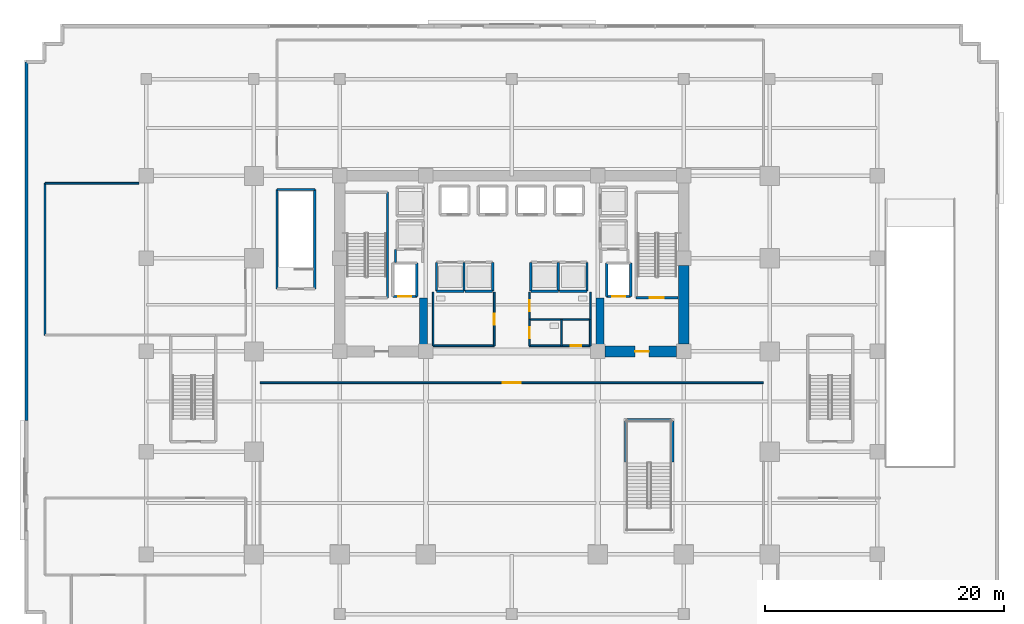
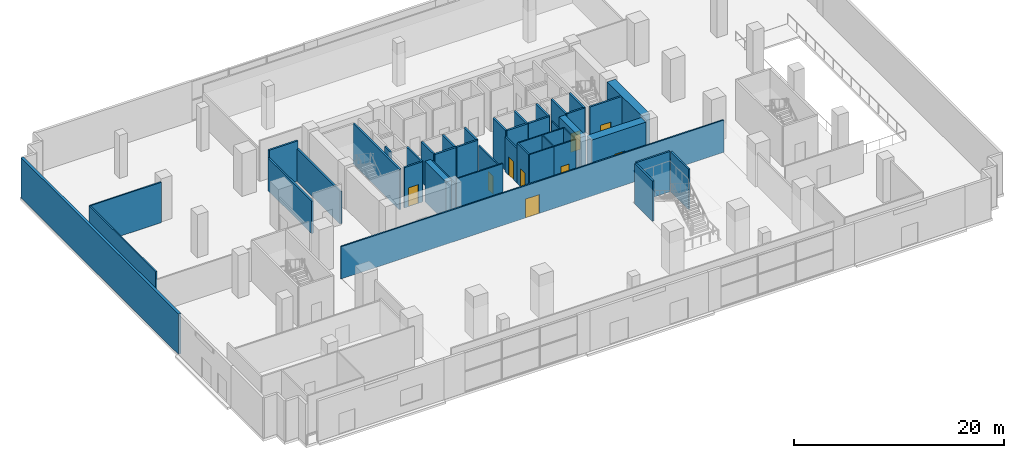
# One storey, part 14 of 27: 43 walls, 9 doors, 9 openings.
"""IFC4 building model written with IfcOpenShell, lengths in metres."""

import ifcopenshell
import ifcopenshell.guid

model = None  # the IFC model being written
_history = None  # IfcOwnerHistory: only IFC2X3 demands one
_inside = {}  # id of a spatial element -> (the spatial element, [elements in it])
_under = {}  # id of a project, library or spatial element -> (it, [spatial elements below it])
_declared = {}  # id of a project -> (the project, [libraries it declares])
_typed = {}  # id of a type object -> (the type object, [elements of that type])
_made_of = {}  # id of a material, layer set ... -> (it, [elements and type objects made of it])


def new_model(schema):
    """Start an empty IFC model of exactly this schema.

    Asked for "IFC4X3", IfcOpenShell would pick the latest addendum, in which some entities
    have other attributes; the version numbers below select the first issue.
    IFC2X3 requires an IfcOwnerHistory on every rooted entity: one is made here for all.
    """
    global model, _history
    if schema == "IFC4X3":
        model = ifcopenshell.file(schema_version=(4, 3, 0, 0))
    else:
        model = ifcopenshell.file(schema=schema)
    _inside.clear()
    _under.clear()
    _declared.clear()
    _typed.clear()
    _made_of.clear()
    _history = None
    if model.schema == "IFC2X3":
        org = make("IfcOrganization", Name="unknown")
        user = make(
            "IfcPersonAndOrganization",
            ThePerson=make("IfcPerson", FamilyName="unknown"),
            TheOrganization=org,
        )
        app = make(
            "IfcApplication",
            ApplicationDeveloper=org,
            Version="unknown",
            ApplicationFullName="unknown",
            ApplicationIdentifier="unknown",
        )
        _history = make(
            "IfcOwnerHistory",
            OwningUser=user,
            OwningApplication=app,
            ChangeAction="ADDED",
            CreationDate=0,
        )
    return model


def make(cls, **values):
    """One entity of the class cls with the attributes given. An attribute that is None is left unset."""
    return model.create_entity(
        cls, **{name: value for name, value in values.items() if value is not None}
    )


def rooted(cls, **values):
    """An entity with a GlobalId (a new one), such as an element, a storey or a relation."""
    return make(cls, GlobalId=ifcopenshell.guid.new(), OwnerHistory=_history, **values)


def si_unit(unit_type, name, prefix=None):
    """IfcSIUnit, for example si_unit("LENGTHUNIT", "METRE", prefix="MILLI")."""
    return make("IfcSIUnit", UnitType=unit_type, Prefix=prefix, Name=name)


def assignment(units):
    """IfcUnitAssignment: the units of a project."""
    return None if units is None else make("IfcUnitAssignment", Units=units)


def point(xyz):
    """IfcCartesianPoint."""
    return None if xyz is None else make("IfcCartesianPoint", Coordinates=xyz)


def direction(xyz):
    """IfcDirection."""
    return None if xyz is None else make("IfcDirection", DirectionRatios=xyz)


def frame(location, z_axis=None, x_axis=None):
    """IfcAxis2Placement3D, a coordinate frame: its origin and axes. An axis left out is left unset."""
    return make(
        "IfcAxis2Placement3D",
        Location=point(location),
        Axis=direction(z_axis),
        RefDirection=direction(x_axis),
    )


def frame_2d(location, x_axis=None):
    """IfcAxis2Placement2D, a coordinate frame in the plane: its origin and x axis."""
    return make(
        "IfcAxis2Placement2D", Location=point(location), RefDirection=direction(x_axis)
    )


def origin():
    """The frame at (0, 0, 0) with its axes left unset."""
    return frame((0.0, 0.0, 0.0))


def place(relative_to, where):
    """IfcLocalPlacement: puts the frame where relative to a parent placement (None: the world)."""
    return make(
        "IfcLocalPlacement", PlacementRelTo=relative_to, RelativePlacement=where
    )


def context(
    kind, dimensions, precision=None, world=None, true_north=None, identifier=None
):
    """IfcGeometricRepresentationContext, for example the 3D "Model" context."""
    return make(
        "IfcGeometricRepresentationContext",
        ContextIdentifier=identifier,
        ContextType=kind,
        CoordinateSpaceDimension=dimensions,
        Precision=precision,
        WorldCoordinateSystem=world,
        TrueNorth=true_north,
    )


def subcontext(parent, identifier, kind, view, scale=None):
    """IfcGeometricRepresentationSubContext, for example "Body" below "Model"."""
    return make(
        "IfcGeometricRepresentationSubContext",
        ContextIdentifier=identifier,
        ContextType=kind,
        ParentContext=parent,
        TargetScale=scale,
        TargetView=view,
    )


def project(units=None, contexts=None):
    """IfcProject with its units and contexts."""
    return rooted(
        "IfcProject",
        Name="project",
        RepresentationContexts=contexts,
        UnitsInContext=assignment(units),
    )


def spatial(cls, under=None, at=None, **own):
    """A site, building, storey or space (cls), placed at a placement, below another one or the project."""
    s = rooted(cls, ObjectPlacement=at, **own)
    if under is not None:
        _under.setdefault(under.id(), (under, []))[1].append(s)
    return s


def profile(cls, at=None, kind="AREA", **sizes):
    """A parametric profile (cls). Its sizes go by their IFC names, for example OverallWidth=200.0."""
    return make(cls, ProfileType=kind, Position=at, **sizes)


def rectangle(**sizes):
    """IfcRectangleProfileDef."""
    return profile("IfcRectangleProfileDef", **sizes)


def extrude(swept, where, along, depth):
    """IfcExtrudedAreaSolid: the profile swept, set in the frame where, extruded along a direction by depth."""
    return make(
        "IfcExtrudedAreaSolid",
        SweptArea=swept,
        Position=where,
        ExtrudedDirection=direction(along),
        Depth=depth,
    )


def shape(context_of_items, identifier, shape_type, items):
    """IfcShapeRepresentation: the items that make up one representation, for example the "Body"."""
    return make(
        "IfcShapeRepresentation",
        ContextOfItems=context_of_items,
        RepresentationIdentifier=identifier,
        RepresentationType=shape_type,
        Items=items,
    )


def source(mapping_origin, context_of_items, identifier, shape_type, items):
    """IfcRepresentationMap: a shape defined once, which mapped items show again and again."""
    return make(
        "IfcRepresentationMap",
        MappingOrigin=mapping_origin,
        MappedRepresentation=shape(context_of_items, identifier, shape_type, items),
    )


def transform(
    local_origin,
    x_axis=None,
    y_axis=None,
    z_axis=None,
    scale=None,
    scale2=None,
    scale3=None,
    uniform=True,
):
    """IfcCartesianTransformationOperator3D, or its non-uniform kind. x_axis, y_axis, z_axis: its Axis1, 2, 3."""
    if uniform:
        return make(
            "IfcCartesianTransformationOperator3D",
            Axis1=direction(x_axis),
            Axis2=direction(y_axis),
            LocalOrigin=point(local_origin),
            Scale=scale,
            Axis3=direction(z_axis),
        )
    return make(
        "IfcCartesianTransformationOperator3DnonUniform",
        Axis1=direction(x_axis),
        Axis2=direction(y_axis),
        LocalOrigin=point(local_origin),
        Scale=scale,
        Axis3=direction(z_axis),
        Scale2=scale2,
        Scale3=scale3,
    )


def mapped(mapping_source, mapping_target):
    """IfcMappedItem: shows the shape of a source again, moved by a transform."""
    return make(
        "IfcMappedItem", MappingSource=mapping_source, MappingTarget=mapping_target
    )


def material(Name=None, Category=None):
    """IfcMaterial."""
    return make("IfcMaterial", Name=Name, Category=Category)


def layer(
    of_material, thickness, ventilated=None, Name=None, Category=None, Priority=None
):
    """IfcMaterialLayer: one layer of a wall or slab, of a material (None: an air gap)."""
    return make(
        "IfcMaterialLayer",
        Material=of_material,
        LayerThickness=thickness,
        IsVentilated=ventilated,
        Name=Name,
        Category=Category,
        Priority=Priority,
    )


def layer_set(layers, Name=None):
    """IfcMaterialLayerSet."""
    return make("IfcMaterialLayerSet", MaterialLayers=layers, LayerSetName=Name)


def made_of(thing, what):
    """Note that an element or type object is made of a material, layer set ...; save() writes the relation."""
    if what is not None:
        _made_of.setdefault(what.id(), (what, []))[1].append(thing)
    return thing


def type_object(cls, material=None, **own):
    """A type object (cls), such as IfcWallType, which elements share."""
    return made_of(rooted(cls, **own), material)


def element(
    cls,
    number,
    at=None,
    inside=None,
    cuts=None,
    type_object=None,
    material=None,
    context=None,
    identifier="Body",
    shape_type=None,
    held_by="IfcProductDefinitionShape",
    body=None,
    shapes=None,
    **own,
):
    """One element of the class cls, such as IfcWall. Its Tag is "e" and its number.

    at: its placement. inside: the storey or other place that contains it. cuts: it is an
    opening in that element (IfcRelVoidsElement). A single representation is given by context,
    identifier, shape_type and body (its items); several are given by shapes. held_by: the class
    of the entity that holds the representations. save() writes the other relations.
    """
    e = rooted(cls, Tag="e%d" % number, ObjectPlacement=at, **own)
    if body is not None:
        shapes = [shape(context, identifier, shape_type, body)]
    if shapes is not None:
        e.Representation = make(held_by, Representations=shapes)
    if inside is not None:
        _inside.setdefault(inside.id(), (inside, []))[1].append(e)
    if cuts is not None:
        rooted(
            "IfcRelVoidsElement", RelatingBuildingElement=cuts, RelatedOpeningElement=e
        )
    if type_object is not None:
        _typed.setdefault(type_object.id(), (type_object, []))[1].append(e)
    return made_of(e, material)


def fill(opening, filler):
    """IfcRelFillsElement: the door or window that sits in an opening."""
    return rooted(
        "IfcRelFillsElement",
        RelatingOpeningElement=opening,
        RelatedBuildingElement=filler,
    )


def aggregate(whole, parts):
    """IfcRelAggregates: a whole, such as a stair, and the parts it consists of."""
    return rooted("IfcRelAggregates", RelatingObject=whole, RelatedObjects=parts)


def save(model, path):
    """Write the relations noted so far, then the file.

    IfcRelAggregates (storeys below a building ...), IfcRelContainedInSpatialStructure (elements
    in a storey), IfcRelDefinesByType, IfcRelAssociatesMaterial and IfcRelDeclares: one each for
    every whole, place, type object, material and project.
    """
    for whole, parts in _under.values():
        aggregate(whole, parts)
    for where, things in _inside.values():
        rooted(
            "IfcRelContainedInSpatialStructure",
            RelatedElements=things,
            RelatingStructure=where,
        )
    for kind, things in _typed.values():
        rooted("IfcRelDefinesByType", RelatedObjects=things, RelatingType=kind)
    for what, things in _made_of.values():
        rooted("IfcRelAssociatesMaterial", RelatedObjects=things, RelatingMaterial=what)
    for by, libraries in _declared.values():
        rooted("IfcRelDeclares", RelatingContext=by, RelatedDefinitions=libraries)
    model.write(path)


model = new_model("IFC4")

# Units and contexts
model_context = context("Model", 3, precision=1e-05, world=origin(), true_north=direction((0.0, 1.0)))
body_context = subcontext(model_context, "Body", "Model", "MODEL_VIEW")
ifc_project = project(units=[si_unit("LENGTHUNIT", "METRE"), si_unit("AREAUNIT", "SQUARE_METRE"), si_unit("VOLUMEUNIT", "CUBIC_METRE"), si_unit("PLANEANGLEUNIT", "RADIAN"), si_unit("MASSUNIT", "GRAM", prefix="KILO")], contexts=[model_context])

# Site, building, storey
site_placement = place(None, origin())
site = spatial("IfcSite", under=ifc_project, at=site_placement, CompositionType="ELEMENT")
building_placement = place(site_placement, origin())
building = spatial("IfcBuilding", under=site, at=building_placement, Name="Zarnakvel Exchange Tower", CompositionType="ELEMENT")
storey_placement = place(building_placement, origin())
storey = spatial("IfcBuildingStorey", under=building, at=storey_placement, Name="L00", CompositionType="ELEMENT", Elevation=0.0)

# Wall
ifc_material_1 = material(Name="Concrete C80/95", Category="concrete")
ifc_layer_1 = layer(ifc_material_1, 0.89990234375)
ifc_layer_set_1 = layer_set([ifc_layer_1], Name="Concrete C80/95")
wall_type_1 = type_object("IfcWallType", Name="CW-C1", PredefinedType="SHEAR", material=ifc_layer_set_1)
wall_1_placement = place(storey_placement, frame((14.39990234375, -0.60009765625, 0.0), z_axis=(0.0, 0.0, 1.0), x_axis=(0.0, 1.0, 0.0)))
element("IfcWall", 1, at=wall_1_placement, inside=storey, type_object=wall_type_1, Name="L00 Rear Core Shear Wall E1 (CW-C1)", PredefinedType="SHEAR", context=body_context, shape_type="SweptSolid", body=[
    extrude(rectangle(XDim=6.60009765625, YDim=0.89990234375, at=frame_2d((3.300048828125, 0.0))), origin(), (0.0, 0.0, 1.0), 4.699951171875),
])

# Wall, opening, door
wall_2_placement = place(storey_placement, frame((13.800048828125, -1.199951171875, 0.0), z_axis=(0.0, 0.0, 1.0), x_axis=(-1.0, 0.0, 0.0)))
wall_2 = element("IfcWall", 2, at=wall_2_placement, inside=storey, type_object=wall_type_1, Name="L00 Rear Core Shear Wall SE (CW-C1)", PredefinedType="SHEAR", context=body_context, shape_type="SweptSolid", body=[
    extrude(rectangle(XDim=6.0, YDim=0.89990234375, at=frame_2d((3.0, 0.0))), origin(), (0.0, 0.0, 1.0), 4.699951171875),
])
opening_1_placement = place(wall_2_placement, frame((2.324951171875, 0.0, 0.0)))
opening_1 = element("IfcOpeningElement", 3, at=opening_1_placement, cuts=wall_2, Name="Opening D-L00-04", PredefinedType="OPENING", context=body_context, shape_type="SweptSolid", body=[
    extrude(rectangle(XDim=1.14990234375, YDim=2.14990234375, at=frame_2d((0.574951171875, 1.074951171875))), frame((0.0, 0.4599609375, 0.0), z_axis=(0.0, -1.0, 0.0), x_axis=(1.0, 0.0, 0.0)), (0.0, 0.0, 1.0), 0.919921875),
])
ifc_material_2 = material(Name="Painted Galvanised Steel S355", Category="steel")
door_type_1 = type_object("IfcDoorType", Name="DT-04", OperationType="NOTDEFINED", PredefinedType="DOOR", material=ifc_material_2)
shared_shape_1 = source(origin(), body_context, "Body", "SweptSolid", [
    extrude(rectangle(XDim=1.14990234375, YDim=2.14990234375, at=frame_2d((0.574951171875, 1.074951171875))), frame((0.0, 0.02490234375, 0.0), z_axis=(0.0, -1.0, 0.0), x_axis=(1.0, 0.0, 0.0)), (0.0, 0.0, 1.0), 0.050048828125),
])
door_1_placement = place(opening_1_placement, origin())
door_1 = element("IfcDoor", 4, at=door_1_placement, inside=storey, type_object=door_type_1, Name="L00 Firefighting Lobby East Door D-L00-04", OperationType="SINGLE_SWING_RIGHT", OverallHeight=2.14990234375, OverallWidth=1.14990234375, PredefinedType="DOOR", context=body_context, shape_type="MappedRepresentation", body=[
    mapped(shared_shape_1, transform((0.0, 0.0, 0.0), x_axis=(1.0, 0.0, 0.0), y_axis=(0.0, 1.0, 0.0), z_axis=(0.0, 0.0, 1.0), scale=1.0)),
])
fill(opening_1, door_1)

# Walls
ifc_layer_2 = layer(ifc_material_1, 0.64990234375)
ifc_layer_set_2 = layer_set([ifc_layer_2], Name="Concrete C80/95")
wall_type_2 = type_object("IfcWallType", Name="CW-C2", PredefinedType="SHEAR", material=ifc_layer_set_2)
for number, where, z_axis, x_axis, name in (
    (5, (-7.39990234375, -0.75, 0.0), (0.0, 0.0, 1.0), (0.0, 1.0, 0.0), "L00 Rear Core Shear Wall IW (CW-C2)"),
    (6, (7.39990234375, -0.75, 0.0), (0.0, 0.0, 1.0), (0.0, 1.0, 0.0), "L00 Rear Core Shear Wall IE (CW-C2)"),
):
    element("IfcWall", number, at=place(storey_placement, frame(where, z_axis=z_axis, x_axis=x_axis)), inside=storey, type_object=wall_type_2, Name=name, PredefinedType="SHEAR", context=body_context, shape_type="SweptSolid", body=[
        extrude(rectangle(XDim=4.0, YDim=0.64990234375, at=frame_2d((2.0, 0.0))), origin(), (0.0, 0.0, 1.0), 4.699951171875),
    ])
ifc_material_3 = material(Name="Precast concrete C40/50", Category="concrete")
ifc_layer_3 = layer(ifc_material_3, 0.280029296875)
ifc_layer_set_3 = layer_set([ifc_layer_3], Name="Precast concrete C40/50")
wall_type_3 = type_object("IfcWallType", Name="EW-01", PredefinedType="SOLIDWALL", material=ifc_layer_set_3)
wall_3_placement = place(storey_placement, frame((-40.639892578125, 23.0400390625, 0.0), z_axis=(0.0, 0.0, 1.0), x_axis=(0.0, -1.0, 0.0)))
element("IfcWall", 7, at=wall_3_placement, inside=storey, type_object=wall_type_3, Name="L00 Exterior Precast Spandrel Wall EWC-L00-02 (EW-01)", PredefinedType="SOLIDWALL", context=body_context, shape_type="SweptSolid", body=[
    extrude(rectangle(XDim=30.0400390625, YDim=0.280029296875, at=frame_2d((15.02001953125, 0.0))), origin(), (0.0, 0.0, 1.0), 4.699951171875),
])

# Wall, opening, door
ifc_material_4 = material(Name="Fire-Rated Gypsum Stud Partition", Category="gypsum")
ifc_layer_4 = layer(ifc_material_4, 0.14990234375)
ifc_layer_set_4 = layer_set([ifc_layer_4], Name="Fire-Rated Gypsum Stud Partition")
wall_type_4 = type_object("IfcWallType", Name="PT-01", PredefinedType="PARTITIONING", material=ifc_layer_set_4)
wall_4_placement = place(storey_placement, frame((6.580078125, -0.72998046875, 0.0), z_axis=(0.0, 0.0, 1.0), x_axis=(-1.0, 0.0, 0.0)))
wall_4 = element("IfcWall", 8, at=wall_4_placement, inside=storey, type_object=wall_type_4, Name="L00 Partition Wall PWALL-L00-020 (PT-01)", PredefinedType="PARTITIONING", context=body_context, shape_type="SweptSolid", body=[
    extrude(rectangle(XDim=2.400146484375, YDim=0.14990234375, at=frame_2d((1.2001953125, 0.0))), origin(), (0.0, 0.0, 1.0), 4.699951171875),
])
opening_2_placement = place(wall_4_placement, frame((0.760009765625, 0.0, 0.0)))
opening_2 = element("IfcOpeningElement", 9, at=opening_2_placement, cuts=wall_4, Name="Opening D-L00-08", PredefinedType="OPENING", context=body_context, shape_type="SweptSolid", body=[
    extrude(rectangle(XDim=0.8798828125, YDim=2.10009765625, at=frame_2d((0.43994140625, 1.050048828125))), frame((0.0, 0.0849609375, 0.0), z_axis=(0.0, -1.0, 0.0), x_axis=(1.0, 0.0, 0.0)), (0.0, 0.0, 1.0), 0.169921875),
])
door_type_2 = type_object("IfcDoorType", Name="DT-08", OperationType="NOTDEFINED", PredefinedType="DOOR", material=ifc_material_2)
shared_shape_2 = source(origin(), body_context, "Body", "SweptSolid", [
    extrude(rectangle(XDim=0.8798828125, YDim=2.10009765625, at=frame_2d((0.43994140625, 1.050048828125))), frame((0.0, 0.02490234375, 0.0), z_axis=(0.0, -1.0, 0.0), x_axis=(1.0, 0.0, 0.0)), (0.0, 0.0, 1.0), 0.050048828125),
])
door_2_placement = place(opening_2_placement, origin())
door_2 = element("IfcDoor", 10, at=door_2_placement, inside=storey, type_object=door_type_2, Name="L00 Cleaners Store Door D-L00-08", OperationType="SINGLE_SWING_RIGHT", OverallHeight=2.10009765625, OverallWidth=0.8798828125, PredefinedType="DOOR", context=body_context, shape_type="MappedRepresentation", body=[
    mapped(shared_shape_2, transform((0.0, 0.0, 0.0), x_axis=(1.0, 0.0, 0.0), y_axis=(0.0, 1.0, 0.0), z_axis=(0.0, 0.0, 1.0), scale=1.0)),
])
fill(opening_2, door_2)

# Wall
wall_5_placement = place(storey_placement, frame((6.580078125, 1.47998046875, 0.0), z_axis=(0.0, 0.0, 1.0), x_axis=(0.0, -1.0, 0.0)))
element("IfcWall", 11, at=wall_5_placement, inside=storey, type_object=wall_type_4, Name="L00 Partition Wall PWALL-L00-021 (PT-01)", PredefinedType="PARTITIONING", context=body_context, shape_type="SweptSolid", body=[
    extrude(rectangle(XDim=2.2099609375, YDim=0.14990234375, at=frame_2d((1.10498046875, 0.0))), origin(), (0.0, 0.0, 1.0), 4.699951171875),
])

# Wall, opening, door
wall_6_placement = place(storey_placement, frame((-21.080078125, -3.830078125, 0.0), z_axis=(0.0, 0.0, 1.0), x_axis=(1.0, 0.0, 0.0)))
wall_6 = element("IfcWall", 12, at=wall_6_placement, inside=storey, type_object=wall_type_4, Name="L00 Partition Wall PWALL-L00-044 (PT-01)", PredefinedType="PARTITIONING", context=body_context, shape_type="SweptSolid", body=[
    extrude(rectangle(XDim=42.16015625, YDim=0.14990234375, at=frame_2d((21.080078125, 0.0))), origin(), (0.0, 0.0, 1.0), 3.76904296875),
])
opening_3_placement = place(wall_6_placement, frame((20.330078125, 0.0, 0.0)))
opening_3 = element("IfcOpeningElement", 13, at=opening_3_placement, cuts=wall_6, Name="Opening D-L00-14", PredefinedType="OPENING", context=body_context, shape_type="SweptSolid", body=[
    extrude(rectangle(XDim=1.5, YDim=2.199951171875, at=frame_2d((0.75, 1.10009765625))), frame((0.0, 0.0849609375, 0.0), z_axis=(0.0, -1.0, 0.0), x_axis=(1.0, 0.0, 0.0)), (0.0, 0.0, 1.0), 0.169921875),
])
ifc_material_5 = material(Name="Timber Acoustic Veneer", Category="wood")
door_type_3 = type_object("IfcDoorType", Name="DT-03", OperationType="NOTDEFINED", PredefinedType="DOOR", material=ifc_material_5)
shared_shape_3 = source(origin(), body_context, "Body", "SweptSolid", [
    extrude(rectangle(XDim=1.5, YDim=2.199951171875, at=frame_2d((0.75, 1.10009765625))), frame((0.0, 0.02490234375, 0.0), z_axis=(0.0, -1.0, 0.0), x_axis=(1.0, 0.0, 0.0)), (0.0, 0.0, 1.0), 0.050048828125),
])
door_3_placement = place(opening_3_placement, origin())
door_3 = element("IfcDoor", 14, at=door_3_placement, inside=storey, type_object=door_type_3, Name="L00 Grand Entrance Hall and Exchange Concourse Door D-L00-14", OperationType="DOUBLE_DOOR_SINGLE_SWING", OverallHeight=2.199951171875, OverallWidth=1.5, PredefinedType="DOOR", context=body_context, shape_type="MappedRepresentation", body=[
    mapped(shared_shape_3, transform((0.0, 0.0, 0.0), x_axis=(1.0, 0.0, 0.0), y_axis=(0.0, 1.0, 0.0), z_axis=(0.0, 0.0, 1.0), scale=1.0)),
])
fill(opening_3, door_3)

# Walls
wall_7_placement = place(storey_placement, frame((-39.080078125, 12.8798828125, 0.0), z_axis=(0.0, 0.0, 1.0), x_axis=(1.0, 0.0, 0.0)))
element("IfcWall", 15, at=wall_7_placement, inside=storey, type_object=wall_type_4, Name="L00 Partition Wall PWALL-L00-049 (PT-01)", PredefinedType="PARTITIONING", context=body_context, shape_type="SweptSolid", body=[
    extrude(rectangle(XDim=7.860107421875, YDim=0.14990234375, at=frame_2d((3.93017578125, 0.0))), origin(), (0.0, 0.0, 1.0), 4.699951171875),
])
wall_8_placement = place(storey_placement, frame((-39.080078125, 0.169921875, 0.0), z_axis=(0.0, 0.0, 1.0), x_axis=(0.0, 1.0, 0.0)))
element("IfcWall", 16, at=wall_8_placement, inside=storey, type_object=wall_type_4, Name="L00 Partition Wall PWALL-L00-050 (PT-01)", PredefinedType="PARTITIONING", context=body_context, shape_type="SweptSolid", body=[
    extrude(rectangle(XDim=12.7099609375, YDim=0.14990234375, at=frame_2d((6.35498046875, 0.0))), origin(), (0.0, 0.0, 1.0), 4.699951171875),
])
ifc_layer_5 = layer(ifc_material_4, 0.179931640625)
ifc_layer_set_5 = layer_set([ifc_layer_5], Name="Fire-Rated Gypsum Stud Partition")
wall_type_5 = type_object("IfcWallType", Name="PT-02", PredefinedType="PARTITIONING", material=ifc_layer_set_5)
wall_9_placement = place(storey_placement, frame((-9.72998046875, 6.239990234375, 0.0), z_axis=(0.0, 0.0, 1.0), x_axis=(0.0, 1.0, 0.0)))
element("IfcWall", 17, at=wall_9_placement, inside=storey, type_object=wall_type_5, Name="L00 Partition Wall PWALL-L00-007 (PT-02)", PredefinedType="PARTITIONING", context=body_context, shape_type="SweptSolid", body=[
    extrude(rectangle(XDim=1.090087890625, YDim=0.179931640625, at=frame_2d((0.544921875, 0.0))), origin(), (0.0, 0.0, 1.0), 4.699951171875),
])
ifc_material_6 = material(Name="Moisture-Resistant Tile-Faced Partition", Category="gypsum")
ifc_layer_6 = layer(ifc_material_6, 0.135009765625)
ifc_layer_set_6 = layer_set([ifc_layer_6], Name="Moisture-Resistant Tile-Faced Partition")
wall_type_6 = type_object("IfcWallType", Name="PT-03", PredefinedType="PARTITIONING", material=ifc_layer_set_6)
wall_10_placement = place(storey_placement, frame((-1.469970703125, -0.72998046875, 0.0), z_axis=(0.0, 0.0, 1.0), x_axis=(-1.0, 0.0, 0.0)))
element("IfcWall", 18, at=wall_10_placement, inside=storey, type_object=wall_type_6, Name="L00 Partition Wall PWALL-L00-011 (PT-03)", PredefinedType="PARTITIONING", context=body_context, shape_type="SweptSolid", body=[
    extrude(rectangle(XDim=5.110107421875, YDim=0.135009765625, at=frame_2d((2.55517578125, 0.0))), origin(), (0.0, 0.0, 1.0), 4.699951171875),
])
wall_11_placement = place(storey_placement, frame((-6.580078125, -0.72998046875, 0.0), z_axis=(0.0, 0.0, 1.0), x_axis=(0.0, 1.0, 0.0)))
element("IfcWall", 19, at=wall_11_placement, inside=storey, type_object=wall_type_6, Name="L00 Partition Wall PWALL-L00-012 (PT-03)", PredefinedType="PARTITIONING", context=body_context, shape_type="SweptSolid", body=[
    extrude(rectangle(XDim=4.489990234375, YDim=0.135009765625, at=frame_2d((2.2451171875, 0.0))), origin(), (0.0, 0.0, 1.0), 4.07275390625),
])

# Wall, opening, door
wall_12_placement = place(storey_placement, frame((-1.469970703125, 3.760009765625, 0.0), z_axis=(0.0, 0.0, 1.0), x_axis=(0.0, -1.0, 0.0)))
wall_12 = element("IfcWall", 20, at=wall_12_placement, inside=storey, type_object=wall_type_6, Name="L00 Partition Wall PWALL-L00-013 (PT-03)", PredefinedType="PARTITIONING", context=body_context, shape_type="SweptSolid", body=[
    extrude(rectangle(XDim=4.489990234375, YDim=0.135009765625, at=frame_2d((2.2451171875, 0.0))), origin(), (0.0, 0.0, 1.0), 4.07275390625),
])
opening_4_placement = place(wall_12_placement, frame((1.800048828125, 0.0, 0.0)))
opening_4 = element("IfcOpeningElement", 21, at=opening_4_placement, cuts=wall_12, Name="Opening D-L00-05", PredefinedType="OPENING", context=body_context, shape_type="SweptSolid", body=[
    extrude(rectangle(XDim=0.919921875, YDim=2.10009765625, at=frame_2d((0.4599609375, 1.050048828125))), frame((0.0, 0.077392578125, 0.0), z_axis=(0.0, -1.0, 0.0), x_axis=(1.0, 0.0, 0.0)), (0.0, 0.0, 1.0), 0.155029296875),
])
ifc_material_7 = material(Name="Moisture-Resistant Laminate Timber", Category="wood")
door_type_4 = type_object("IfcDoorType", Name="DT-07", OperationType="NOTDEFINED", PredefinedType="DOOR", material=ifc_material_7)
shared_shape_4 = source(origin(), body_context, "Body", "SweptSolid", [
    extrude(rectangle(XDim=0.919921875, YDim=2.10009765625, at=frame_2d((0.4599609375, 1.050048828125))), frame((0.0, 0.02490234375, 0.0), z_axis=(0.0, -1.0, 0.0), x_axis=(1.0, 0.0, 0.0)), (0.0, 0.0, 1.0), 0.050048828125),
])
door_4_placement = place(opening_4_placement, origin())
door_4 = element("IfcDoor", 22, at=door_4_placement, inside=storey, type_object=door_type_4, Name="L00 Male Toilet Door D-L00-05", OperationType="SINGLE_SWING_LEFT", OverallHeight=2.10009765625, OverallWidth=0.919921875, PredefinedType="DOOR", context=body_context, shape_type="MappedRepresentation", body=[
    mapped(shared_shape_4, transform((0.0, 0.0, 0.0), x_axis=(1.0, 0.0, 0.0), y_axis=(0.0, 1.0, 0.0), z_axis=(0.0, 0.0, 1.0), scale=1.0)),
])
fill(opening_4, door_4)

# Wall
wall_13_placement = place(storey_placement, frame((6.580078125, 1.47998046875, 0.0), z_axis=(0.0, 0.0, 1.0), x_axis=(-1.0, 0.0, 0.0)))
element("IfcWall", 23, at=wall_13_placement, inside=storey, type_object=wall_type_6, Name="L00 Partition Wall PWALL-L00-014 (PT-03)", PredefinedType="PARTITIONING", context=body_context, shape_type="SweptSolid", body=[
    extrude(rectangle(XDim=5.110107421875, YDim=0.135009765625, at=frame_2d((2.55517578125, 0.0))), origin(), (0.0, 0.0, 1.0), 4.699951171875),
])

# Wall, opening, door
wall_14_placement = place(storey_placement, frame((1.469970703125, 1.47998046875, 0.0), z_axis=(0.0, 0.0, 1.0), x_axis=(0.0, 1.0, 0.0)))
wall_14 = element("IfcWall", 24, at=wall_14_placement, inside=storey, type_object=wall_type_6, Name="L00 Partition Wall PWALL-L00-015 (PT-03)", PredefinedType="PARTITIONING", context=body_context, shape_type="SweptSolid", body=[
    extrude(rectangle(XDim=2.280029296875, YDim=0.135009765625, at=frame_2d((1.14013671875, 0.0))), origin(), (0.0, 0.0, 1.0), 4.07275390625),
])
opening_5_placement = place(wall_14_placement, frame((0.679931640625, 0.0, 0.0)))
opening_5 = element("IfcOpeningElement", 25, at=opening_5_placement, cuts=wall_14, Name="Opening D-L00-06", PredefinedType="OPENING", context=body_context, shape_type="SweptSolid", body=[
    extrude(rectangle(XDim=0.919921875, YDim=2.10009765625, at=frame_2d((0.4599609375, 1.050048828125))), frame((0.0, 0.077392578125, 0.0), z_axis=(0.0, -1.0, 0.0), x_axis=(1.0, 0.0, 0.0)), (0.0, 0.0, 1.0), 0.155029296875),
])
door_5_placement = place(opening_5_placement, origin())
door_5 = element("IfcDoor", 26, at=door_5_placement, inside=storey, type_object=door_type_4, Name="L00 Female Toilet Door D-L00-06", OperationType="SINGLE_SWING_RIGHT", OverallHeight=2.10009765625, OverallWidth=0.919921875, PredefinedType="DOOR", context=body_context, shape_type="MappedRepresentation", body=[
    mapped(shared_shape_4, transform((0.0, 0.0, 0.0), x_axis=(1.0, 0.0, 0.0), y_axis=(0.0, 1.0, 0.0), z_axis=(0.0, 0.0, 1.0), scale=1.0)),
])
fill(opening_5, door_5)

# Walls
wall_15_placement = place(storey_placement, frame((6.580078125, 3.760009765625, 0.0), z_axis=(0.0, 0.0, 1.0), x_axis=(0.0, -1.0, 0.0)))
element("IfcWall", 27, at=wall_15_placement, inside=storey, type_object=wall_type_6, Name="L00 Partition Wall PWALL-L00-016 (PT-03)", PredefinedType="PARTITIONING", context=body_context, shape_type="SweptSolid", body=[
    extrude(rectangle(XDim=2.280029296875, YDim=0.135009765625, at=frame_2d((1.14013671875, 0.0))), origin(), (0.0, 0.0, 1.0), 4.07275390625),
])
wall_16_placement = place(storey_placement, frame((4.179931640625, -0.72998046875, 0.0), z_axis=(0.0, 0.0, 1.0), x_axis=(-1.0, 0.0, 0.0)))
element("IfcWall", 28, at=wall_16_placement, inside=storey, type_object=wall_type_6, Name="L00 Partition Wall PWALL-L00-017 (PT-03)", PredefinedType="PARTITIONING", context=body_context, shape_type="SweptSolid", body=[
    extrude(rectangle(XDim=2.7099609375, YDim=0.135009765625, at=frame_2d((1.35498046875, 0.0))), origin(), (0.0, 0.0, 1.0), 4.699951171875),
])

# Wall, opening, door
wall_17_placement = place(storey_placement, frame((1.469970703125, -0.72998046875, 0.0), z_axis=(0.0, 0.0, 1.0), x_axis=(0.0, 1.0, 0.0)))
wall_17 = element("IfcWall", 29, at=wall_17_placement, inside=storey, type_object=wall_type_6, Name="L00 Partition Wall PWALL-L00-018 (PT-03)", PredefinedType="PARTITIONING", context=body_context, shape_type="SweptSolid", body=[
    extrude(rectangle(XDim=2.2099609375, YDim=0.135009765625, at=frame_2d((1.10498046875, 0.0))), origin(), (0.0, 0.0, 1.0), 4.699951171875),
])
opening_6_placement = place(wall_17_placement, frame((0.64990234375, 0.0, 0.0)))
opening_6 = element("IfcOpeningElement", 30, at=opening_6_placement, cuts=wall_17, Name="Opening D-L00-07", PredefinedType="OPENING", context=body_context, shape_type="SweptSolid", body=[
    extrude(rectangle(XDim=0.919921875, YDim=2.10009765625, at=frame_2d((0.4599609375, 1.050048828125))), frame((0.0, 0.077392578125, 0.0), z_axis=(0.0, -1.0, 0.0), x_axis=(1.0, 0.0, 0.0)), (0.0, 0.0, 1.0), 0.155029296875),
])
door_6_placement = place(opening_6_placement, origin())
door_6 = element("IfcDoor", 31, at=door_6_placement, inside=storey, type_object=door_type_4, Name="L00 Accessible Toilet Door D-L00-07", OperationType="SINGLE_SWING_LEFT", OverallHeight=2.10009765625, OverallWidth=0.919921875, PredefinedType="DOOR", context=body_context, shape_type="MappedRepresentation", body=[
    mapped(shared_shape_4, transform((0.0, 0.0, 0.0), x_axis=(1.0, 0.0, 0.0), y_axis=(0.0, 1.0, 0.0), z_axis=(0.0, 0.0, 1.0), scale=1.0)),
])
fill(opening_6, door_6)

# Wall
wall_18_placement = place(storey_placement, frame((4.179931640625, 1.47998046875, 0.0), z_axis=(0.0, 0.0, 1.0), x_axis=(0.0, -1.0, 0.0)))
element("IfcWall", 32, at=wall_18_placement, inside=storey, type_object=wall_type_6, Name="L00 Partition Wall PWALL-L00-019 (PT-03)", PredefinedType="PARTITIONING", context=body_context, shape_type="SweptSolid", body=[
    extrude(rectangle(XDim=2.2099609375, YDim=0.135009765625, at=frame_2d((1.10498046875, 0.0))), origin(), (0.0, 0.0, 1.0), 4.699951171875),
])

# Wall, opening, door
ifc_material_8 = material(Name="Concrete C40/50", Category="concrete")
ifc_layer_7 = layer(ifc_material_8, 0.199951171875)
ifc_layer_set_7 = layer_set([ifc_layer_7], Name="Concrete C40/50")
wall_type_7 = type_object("IfcWallType", Name="SW-01", PredefinedType="SOLIDWALL", material=ifc_layer_set_7)
wall_19_placement = place(storey_placement, frame((-7.949951171875, 3.39990234375, 0.0), z_axis=(0.0, 0.0, 1.0), x_axis=(-1.0, 0.0, 0.0)))
wall_19 = element("IfcWall", 33, at=wall_19_placement, inside=storey, type_object=wall_type_7, Name="L00 FL-01 Hoistway Wall South", PredefinedType="SOLIDWALL", context=body_context, shape_type="SweptSolid", body=[
    extrude(rectangle(XDim=2.0, YDim=0.199951171875, at=frame_2d((1.0, 0.0))), origin(), (0.0, 0.0, 1.0), 4.699951171875),
])
opening_7_placement = place(wall_19_placement, frame((0.449951171875, 0.0, 0.0)))
opening_7 = element("IfcOpeningElement", 34, at=opening_7_placement, cuts=wall_19, Name="Opening LD-FL-01-L00", PredefinedType="OPENING", context=body_context, shape_type="SweptSolid", body=[
    extrude(rectangle(XDim=1.10009765625, YDim=2.199951171875, at=frame_2d((0.550048828125, 1.10009765625))), frame((0.0, 0.10986328125, 0.0), z_axis=(0.0, -1.0, 0.0), x_axis=(1.0, 0.0, 0.0)), (0.0, 0.0, 1.0), 0.219970703125),
])
ifc_material_9 = material(Name="Brushed Stainless Steel", Category="steel")
door_type_5 = type_object("IfcDoorType", Name="LDT-01", OperationType="NOTDEFINED", PredefinedType="DOOR", material=ifc_material_9)
shared_shape_5 = source(origin(), body_context, "Body", "SweptSolid", [
    extrude(rectangle(XDim=1.10009765625, YDim=2.199951171875, at=frame_2d((0.550048828125, 1.10009765625))), frame((0.0, 0.02490234375, 0.0), z_axis=(0.0, -1.0, 0.0), x_axis=(1.0, 0.0, 0.0)), (0.0, 0.0, 1.0), 0.050048828125),
])
door_7_placement = place(opening_7_placement, origin())
door_7 = element("IfcDoor", 35, at=door_7_placement, inside=storey, type_object=door_type_5, Name="L00 FL-01 Lift Landing Door LD-FL-01-L00", OperationType="DOUBLE_DOOR_SLIDING", OverallHeight=2.199951171875, OverallWidth=1.10009765625, PredefinedType="DOOR", context=body_context, shape_type="MappedRepresentation", body=[
    mapped(shared_shape_5, transform((0.0, 0.0, 0.0), x_axis=(1.0, 0.0, 0.0), y_axis=(0.0, 1.0, 0.0), z_axis=(0.0, 0.0, 1.0), scale=1.0)),
])
fill(opening_7, door_7)

# Wall
wall_20_placement = place(storey_placement, frame((-7.949951171875, 6.199951171875, 0.0), z_axis=(0.0, 0.0, 1.0), x_axis=(0.0, -1.0, 0.0)))
element("IfcWall", 36, at=wall_20_placement, inside=storey, type_object=wall_type_7, Name="L00 FL-01 Hoistway Wall East", PredefinedType="SOLIDWALL", context=body_context, shape_type="SweptSolid", body=[
    extrude(rectangle(XDim=2.800048828125, YDim=0.199951171875, at=frame_2d((1.39990234375, 0.0))), origin(), (0.0, 0.0, 1.0), 4.699951171875),
])

# Wall, opening, door
wall_21_placement = place(storey_placement, frame((9.949951171875, 3.39990234375, 0.0), z_axis=(0.0, 0.0, 1.0), x_axis=(-1.0, 0.0, 0.0)))
wall_21 = element("IfcWall", 37, at=wall_21_placement, inside=storey, type_object=wall_type_7, Name="L00 FL-02 Hoistway Wall South", PredefinedType="SOLIDWALL", context=body_context, shape_type="SweptSolid", body=[
    extrude(rectangle(XDim=2.0, YDim=0.199951171875, at=frame_2d((1.0, 0.0))), origin(), (0.0, 0.0, 1.0), 4.699951171875),
])
opening_8_placement = place(wall_21_placement, frame((0.449951171875, 0.0, 0.0)))
opening_8 = element("IfcOpeningElement", 38, at=opening_8_placement, cuts=wall_21, Name="Opening LD-FL-02-L00", PredefinedType="OPENING", context=body_context, shape_type="SweptSolid", body=[
    extrude(rectangle(XDim=1.10009765625, YDim=2.199951171875, at=frame_2d((0.550048828125, 1.10009765625))), frame((0.0, 0.10986328125, 0.0), z_axis=(0.0, -1.0, 0.0), x_axis=(1.0, 0.0, 0.0)), (0.0, 0.0, 1.0), 0.219970703125),
])
door_8_placement = place(opening_8_placement, origin())
door_8 = element("IfcDoor", 39, at=door_8_placement, inside=storey, type_object=door_type_5, Name="L00 FL-02 Lift Landing Door LD-FL-02-L00", OperationType="DOUBLE_DOOR_SLIDING", OverallHeight=2.199951171875, OverallWidth=1.10009765625, PredefinedType="DOOR", context=body_context, shape_type="MappedRepresentation", body=[
    mapped(shared_shape_5, transform((0.0, 0.0, 0.0), x_axis=(1.0, 0.0, 0.0), y_axis=(0.0, 1.0, 0.0), z_axis=(0.0, 0.0, 1.0), scale=1.0)),
])
fill(opening_8, door_8)

# Walls
for number, where, z_axis, x_axis, name in (
    (40, (7.949951171875, 3.39990234375, 0.0), (0.0, 0.0, 1.0), (0.0, 1.0, 0.0), "L00 FL-02 Hoistway Wall West"),
    (41, (9.949951171875, 6.199951171875, 0.0), (0.0, 0.0, 1.0), (0.0, -1.0, 0.0), "L00 FL-02 Hoistway Wall East"),
):
    element("IfcWall", number, at=place(storey_placement, frame(where, z_axis=z_axis, x_axis=x_axis)), inside=storey, type_object=wall_type_7, Name=name, PredefinedType="SOLIDWALL", context=body_context, shape_type="SweptSolid", body=[
        extrude(rectangle(XDim=2.800048828125, YDim=0.199951171875, at=frame_2d((1.39990234375, 0.0))), origin(), (0.0, 0.0, 1.0), 4.699951171875),
    ])
wall_22_placement = place(storey_placement, frame((-4.0, 3.85009765625, 0.0), z_axis=(0.0, 0.0, 1.0), x_axis=(-1.0, 0.0, 0.0)))
element("IfcWall", 42, at=wall_22_placement, inside=storey, type_object=wall_type_7, Name="L00 PL-05 Hoistway Wall South", PredefinedType="SOLIDWALL", context=body_context, shape_type="SweptSolid", body=[
    extrude(rectangle(XDim=2.300048828125, YDim=0.199951171875, at=frame_2d((1.14990234375, 0.0))), origin(), (0.0, 0.0, 1.0), 4.699951171875),
])
for number, where, z_axis, x_axis, name in (
    (43, (-6.300048828125, 3.85009765625, 0.0), (0.0, 0.0, 1.0), (0.0, 1.0, 0.0), "L00 PL-05 Hoistway Wall West"),
    (44, (-4.0, 6.25, 0.0), (0.0, 0.0, 1.0), (0.0, -1.0, 0.0), "L00 PL-05 Hoistway Wall East"),
):
    element("IfcWall", number, at=place(storey_placement, frame(where, z_axis=z_axis, x_axis=x_axis)), inside=storey, type_object=wall_type_7, Name=name, PredefinedType="SOLIDWALL", context=body_context, shape_type="SweptSolid", body=[
        extrude(rectangle(XDim=2.39990234375, YDim=0.199951171875, at=frame_2d((1.199951171875, 0.0))), origin(), (0.0, 0.0, 1.0), 4.699951171875),
    ])
wall_23_placement = place(storey_placement, frame((-1.60009765625, 3.85009765625, 0.0), z_axis=(0.0, 0.0, 1.0), x_axis=(-1.0, 0.0, 0.0)))
element("IfcWall", 45, at=wall_23_placement, inside=storey, type_object=wall_type_7, Name="L00 PL-06 Hoistway Wall South", PredefinedType="SOLIDWALL", context=body_context, shape_type="SweptSolid", body=[
    extrude(rectangle(XDim=2.2998046875, YDim=0.199951171875, at=frame_2d((1.14990234375, 0.0))), origin(), (0.0, 0.0, 1.0), 4.699951171875),
])
wall_24_placement = place(storey_placement, frame((-1.60009765625, 6.25, 0.0), z_axis=(0.0, 0.0, 1.0), x_axis=(0.0, -1.0, 0.0)))
element("IfcWall", 46, at=wall_24_placement, inside=storey, type_object=wall_type_7, Name="L00 PL-06 Hoistway Wall East", PredefinedType="SOLIDWALL", context=body_context, shape_type="SweptSolid", body=[
    extrude(rectangle(XDim=2.39990234375, YDim=0.199951171875, at=frame_2d((1.199951171875, 0.0))), origin(), (0.0, 0.0, 1.0), 4.699951171875),
])
wall_25_placement = place(storey_placement, frame((3.89990234375, 3.85009765625, 0.0), z_axis=(0.0, 0.0, 1.0), x_axis=(-1.0, 0.0, 0.0)))
element("IfcWall", 47, at=wall_25_placement, inside=storey, type_object=wall_type_7, Name="L00 PL-07 Hoistway Wall South", PredefinedType="SOLIDWALL", context=body_context, shape_type="SweptSolid", body=[
    extrude(rectangle(XDim=2.2998046875, YDim=0.199951171875, at=frame_2d((1.14990234375, 0.0))), origin(), (0.0, 0.0, 1.0), 4.699951171875),
])
for number, where, z_axis, x_axis, name in (
    (48, (1.60009765625, 3.85009765625, 0.0), (0.0, 0.0, 1.0), (0.0, 1.0, 0.0), "L00 PL-07 Hoistway Wall West"),
    (49, (3.89990234375, 6.25, 0.0), (0.0, 0.0, 1.0), (0.0, -1.0, 0.0), "L00 PL-07 Hoistway Wall East"),
):
    element("IfcWall", number, at=place(storey_placement, frame(where, z_axis=z_axis, x_axis=x_axis)), inside=storey, type_object=wall_type_7, Name=name, PredefinedType="SOLIDWALL", context=body_context, shape_type="SweptSolid", body=[
        extrude(rectangle(XDim=2.39990234375, YDim=0.199951171875, at=frame_2d((1.199951171875, 0.0))), origin(), (0.0, 0.0, 1.0), 4.699951171875),
    ])
wall_26_placement = place(storey_placement, frame((6.300048828125, 3.85009765625, 0.0), z_axis=(0.0, 0.0, 1.0), x_axis=(-1.0, 0.0, 0.0)))
element("IfcWall", 50, at=wall_26_placement, inside=storey, type_object=wall_type_7, Name="L00 PL-08 Hoistway Wall South", PredefinedType="SOLIDWALL", context=body_context, shape_type="SweptSolid", body=[
    extrude(rectangle(XDim=2.300048828125, YDim=0.199951171875, at=frame_2d((1.14990234375, 0.0))), origin(), (0.0, 0.0, 1.0), 4.699951171875),
])
wall_27_placement = place(storey_placement, frame((6.300048828125, 6.25, 0.0), z_axis=(0.0, 0.0, 1.0), x_axis=(0.0, -1.0, 0.0)))
element("IfcWall", 51, at=wall_27_placement, inside=storey, type_object=wall_type_7, Name="L00 PL-08 Hoistway Wall East", PredefinedType="SOLIDWALL", context=body_context, shape_type="SweptSolid", body=[
    extrude(rectangle(XDim=2.39990234375, YDim=0.199951171875, at=frame_2d((1.199951171875, 0.0))), origin(), (0.0, 0.0, 1.0), 4.699951171875),
])
ifc_layer_8 = layer(ifc_material_8, 0.199951171875)
ifc_layer_set_8 = layer_set([ifc_layer_8], Name="Concrete C40/50")
wall_type_8 = type_object("IfcWallType", Name="SW-02", PredefinedType="SOLIDWALL", material=ifc_layer_set_8)
for number, where, z_axis, x_axis, name in (
    (52, (9.52001953125, -10.449951171875, 0.0), (0.0, 0.0, 1.0), (0.0, 1.0, 0.0), "L00 Atrium Feature Stair ST-06 Bearing Wall W"),
    (53, (13.47998046875, -7.050048828125, 0.0), (0.0, 0.0, 1.0), (0.0, -1.0, 0.0), "L00 Atrium Feature Stair ST-06 Bearing Wall E"),
):
    element("IfcWall", number, at=place(storey_placement, frame(where, z_axis=z_axis, x_axis=x_axis)), inside=storey, type_object=wall_type_8, Name=name, PredefinedType="SOLIDWALL", context=body_context, shape_type="SweptSolid", body=[
        extrude(rectangle(XDim=3.39990234375, YDim=0.199951171875, at=frame_2d((1.699951171875, 0.0))), origin(), (0.0, 0.0, 1.0), 4.699951171875),
    ])
wall_28_placement = place(storey_placement, frame((9.64990234375, -6.919921875, 0.0), z_axis=(0.0, 0.0, 1.0), x_axis=(1.0, 0.0, 0.0)))
element("IfcWall", 54, at=wall_28_placement, inside=storey, type_object=wall_type_8, Name="L00 Atrium Feature Stair ST-06 Bearing Wall N", PredefinedType="SOLIDWALL", context=body_context, shape_type="SweptSolid", body=[
    extrude(rectangle(XDim=3.7001953125, YDim=0.199951171875, at=frame_2d((1.85009765625, 0.0))), origin(), (0.0, 0.0, 1.0), 4.699951171875),
])
wall_29_placement = place(storey_placement, frame((-10.409912109375, 12.1298828125, 0.0), z_axis=(0.0, 0.0, 1.0), x_axis=(0.0, -1.0, 0.0)))
element("IfcWall", 55, at=wall_29_placement, inside=storey, type_object=wall_type_8, Name="L00 Stairwell Core Wall PWALL-L00-003 (SW-02)", PredefinedType="SOLIDWALL", context=body_context, shape_type="SweptSolid", body=[
    extrude(rectangle(XDim=8.83984375, YDim=0.199951171875, at=frame_2d((4.419921875, 0.0))), origin(), (0.0, 0.0, 1.0), 4.699951171875),
])

# Wall, opening, door
wall_30_placement = place(storey_placement, frame((13.929931640625, 3.2900390625, 0.0), z_axis=(0.0, 0.0, 1.0), x_axis=(-1.0, 0.0, 0.0)))
wall_30 = element("IfcWall", 56, at=wall_30_placement, inside=storey, type_object=wall_type_8, Name="L00 Stairwell Core Wall PWALL-L00-004 (SW-02)", PredefinedType="SOLIDWALL", context=body_context, shape_type="SweptSolid", body=[
    extrude(rectangle(XDim=3.52001953125, YDim=0.199951171875, at=frame_2d((1.760009765625, 0.0))), origin(), (0.0, 0.0, 1.0), 4.699951171875),
])
opening_9_placement = place(wall_30_placement, frame((1.205078125, 0.0, 0.0)))
opening_9 = element("IfcOpeningElement", 57, at=opening_9_placement, cuts=wall_30, Name="Opening D-L00-02", PredefinedType="OPENING", context=body_context, shape_type="SweptSolid", body=[
    extrude(rectangle(XDim=1.14990234375, YDim=2.14990234375, at=frame_2d((0.574951171875, 1.074951171875))), frame((0.0, 0.10986328125, 0.0), z_axis=(0.0, -1.0, 0.0), x_axis=(1.0, 0.0, 0.0)), (0.0, 0.0, 1.0), 0.219970703125),
])
door_9_placement = place(opening_9_placement, origin())
door_9 = element("IfcDoor", 58, at=door_9_placement, inside=storey, type_object=door_type_1, Name="L00 Stairwell ST-02 Door D-L00-02", OperationType="SINGLE_SWING_RIGHT", OverallHeight=2.14990234375, OverallWidth=1.14990234375, PredefinedType="DOOR", context=body_context, shape_type="MappedRepresentation", body=[
    mapped(shared_shape_1, transform((0.0, 0.0, 0.0), x_axis=(1.0, 0.0, 0.0), y_axis=(0.0, 1.0, 0.0), z_axis=(0.0, 0.0, 1.0), scale=1.0)),
])
fill(opening_9, door_9)

# Walls
wall_31_placement = place(storey_placement, frame((-19.659912109375, 12.360107421875, 0.0), z_axis=(0.0, 0.0, 1.0), x_axis=(1.0, 0.0, 0.0)))
element("IfcWall", 59, at=wall_31_placement, inside=storey, type_object=wall_type_8, Name="L00 Stairwell Core Wall PWALL-L00-031 (SW-02)", PredefinedType="SOLIDWALL", context=body_context, shape_type="SweptSolid", body=[
    extrude(rectangle(XDim=3.169921875, YDim=0.199951171875, at=frame_2d((1.5849609375, 0.0))), origin(), (0.0, 0.0, 1.0), 4.699951171875),
])
for number, where, z_axis, x_axis, name in (
    (60, (-19.659912109375, 4.0400390625, 0.0), (0.0, 0.0, 1.0), (0.0, 1.0, 0.0), "L00 Stairwell Core Wall PWALL-L00-032 (SW-02)"),
    (61, (-16.489990234375, 12.360107421875, 0.0), (0.0, 0.0, 1.0), (0.0, -1.0, 0.0), "L00 Stairwell Core Wall PWALL-L00-033 (SW-02)"),
):
    element("IfcWall", number, at=place(storey_placement, frame(where, z_axis=z_axis, x_axis=x_axis)), inside=storey, type_object=wall_type_8, Name=name, PredefinedType="SOLIDWALL", context=body_context, shape_type="SweptSolid", body=[
        extrude(rectangle(XDim=8.320068359375, YDim=0.199951171875, at=frame_2d((4.16015625, 0.0))), origin(), (0.0, 0.0, 1.0), 3.7900390625),
    ])

save(model, "model.ifc")
